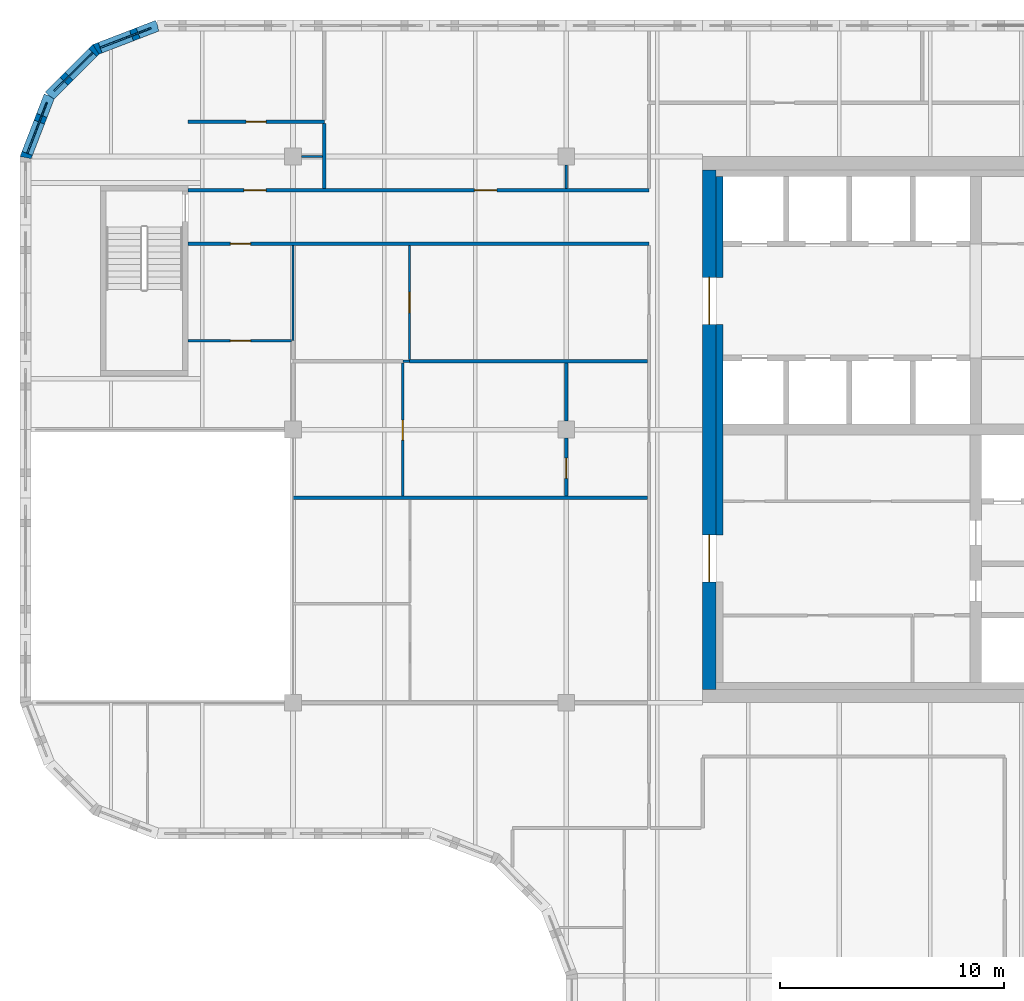
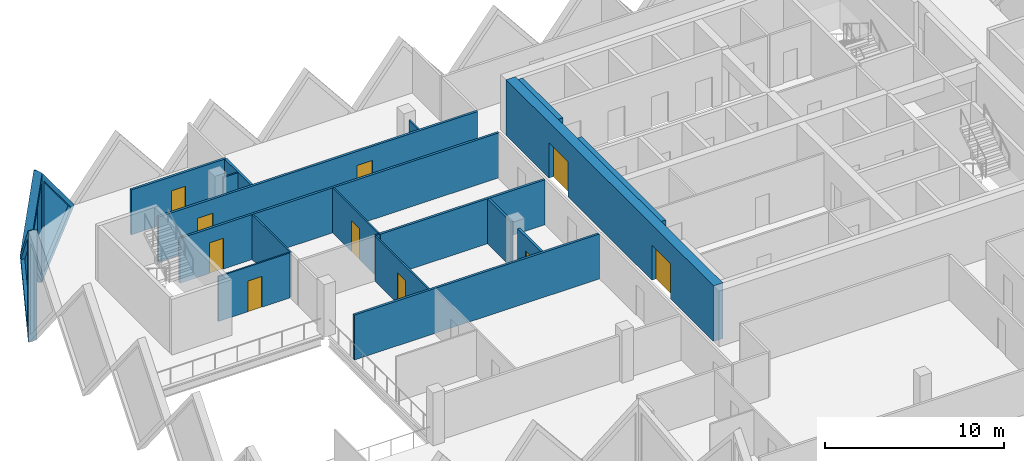
# One storey, part 7 of 12: 21 walls, 10 doors, 3 plates, 13 openings.
"""IFC4 building model written with IfcOpenShell, lengths in metres."""

from ifc_helpers import new_model, si_unit, direction, frame, frame_2d, origin, place, context, subcontext, project, spatial, polyline, rectangle, outline, extrude, faceted_brep, source, transform, mapped, material, layer, layer_set, type_object, element, fill, save


model = new_model("IFC4")

# Units and contexts
model_context = context("Model", 3, precision=1e-05, world=origin(), true_north=direction((0.0, 1.0)))
body_context = subcontext(model_context, "Body", "Model", "MODEL_VIEW")
ifc_project = project(units=[si_unit("LENGTHUNIT", "METRE"), si_unit("AREAUNIT", "SQUARE_METRE"), si_unit("VOLUMEUNIT", "CUBIC_METRE"), si_unit("PLANEANGLEUNIT", "RADIAN"), si_unit("MASSUNIT", "GRAM", prefix="KILO")], contexts=[model_context])

# Site, building, storey
site_placement = place(None, origin())
site = spatial("IfcSite", under=ifc_project, at=site_placement, CompositionType="ELEMENT")
building_placement = place(site_placement, origin())
building = spatial("IfcBuilding", under=site, at=building_placement, Name="Tessera Gate Towers", CompositionType="ELEMENT")
storey_placement = place(building_placement, frame((0.0, 0.0, 182.0)))
storey = spatial("IfcBuildingStorey", under=building, at=storey_placement, Name="L45", CompositionType="ELEMENT", Elevation=182.0)

# Wall, openings, doors
ifc_material_1 = material(Name="Concrete C50/60", Category="concrete")
ifc_layer_1 = layer(ifc_material_1, 0.60009765625)
ifc_layer_set_1 = layer_set([ifc_layer_1], Name="CORE SHEAR WALL 600 C50/60")
wall_type_1 = type_object("IfcWallType", Name="CORE SHEAR WALL 600 C50/60", PredefinedType="SHEAR", material=ifc_layer_set_1)
wall_1_placement = place(storey_placement, frame((30.800048828125, 25.0, 0.0), z_axis=(0.0, 0.0, 1.0), x_axis=(0.0, 1.0, 0.0)))
wall_1 = element("IfcWall", 1, at=wall_1_placement, inside=storey, type_object=wall_type_1, Name="Core wall W L45", PredefinedType="SHEAR", context=body_context, shape_type="SweptSolid", body=[
    extrude(rectangle(XDim=23.199951171875, YDim=0.60009765625, at=frame_2d((11.60009765625, 0.0))), origin(), (0.0, 0.0, 1.0), 3.800048828125),
])
shared_shape_1 = source(origin(), body_context, "Body", "SweptSolid", [
    extrude(rectangle(XDim=2.10009765625, YDim=2.39990234375, at=frame_2d((1.050048828125, 1.199951171875))), frame((0.0, 0.31005859375, 0.0), z_axis=(0.0, -1.0, 0.0), x_axis=(1.0, 0.0, 0.0)), (0.0, 0.0, 1.0), 0.6201171875),
])
opening_1_placement = place(wall_1_placement, frame((4.800048828125, 0.0, 0.0)))
opening_1 = element("IfcOpeningElement", 2, at=opening_1_placement, cuts=wall_1, Name="Opening DD-T1-28-02", PredefinedType="OPENING", context=body_context, shape_type="MappedRepresentation", body=[
    mapped(shared_shape_1, transform((0.0, 0.0, 0.0), scale=1.0)),
])
opening_2_placement = place(wall_1_placement, frame((16.300048828125, 0.0, 0.0)))
opening_2 = element("IfcOpeningElement", 3, at=opening_2_placement, cuts=wall_1, Name="Opening DD-T1-28-03", PredefinedType="OPENING", context=body_context, shape_type="MappedRepresentation", body=[
    mapped(shared_shape_1, transform((0.0, 0.0, 0.0), scale=1.0)),
])
ifc_material_2 = material(Name="Hollow steel fire door", Category="steel")
door_type_1 = type_object("IfcDoorType", Name="CORE DOOR DD 2100x2400", OperationType="NOTDEFINED", PredefinedType="DOOR", material=ifc_material_2)
shared_shape_2 = source(origin(), body_context, "Body", "SweptSolid", [
    extrude(rectangle(XDim=2.10009765625, YDim=2.39990234375, at=frame_2d((1.050048828125, 1.199951171875))), frame((0.0, 0.02490234375, 0.0), z_axis=(0.0, -1.0, 0.0), x_axis=(1.0, 0.0, 0.0)), (0.0, 0.0, 1.0), 0.050048828125),
])
door_1_placement = place(opening_1_placement, origin())
door_1 = element("IfcDoor", 4, at=door_1_placement, inside=storey, type_object=door_type_1, Name="Core entrance door", OperationType="DOUBLE_DOOR_SINGLE_SWING", OverallHeight=2.39990234375, OverallWidth=2.10009765625, PredefinedType="DOOR", context=body_context, shape_type="MappedRepresentation", body=[
    mapped(shared_shape_2, transform((0.0, 0.0, 0.0), scale=1.0)),
])
fill(opening_1, door_1)
door_2_placement = place(opening_2_placement, origin())
door_2 = element("IfcDoor", 5, at=door_2_placement, inside=storey, type_object=door_type_1, Name="Core entrance door", OperationType="DOUBLE_DOOR_SINGLE_SWING", OverallHeight=2.39990234375, OverallWidth=2.10009765625, PredefinedType="DOOR", context=body_context, shape_type="MappedRepresentation", body=[
    mapped(shared_shape_2, transform((0.0, 0.0, 0.0), scale=1.0)),
])
fill(opening_2, door_2)

# Walls
ifc_material_3 = material(Name="Concrete C50/60", Category="concrete")
ifc_layer_2 = layer(ifc_material_3, 0.300048828125)
ifc_layer_set_2 = layer_set([ifc_layer_2], Name="CORE WALL THICKENING 300")
wall_type_2 = type_object("IfcWallType", Name="CORE WALL THICKENING 300", PredefinedType="SOLIDWALL", material=ifc_layer_set_2)
wall_2_placement = place(storey_placement, frame((31.25, 31.89990234375, 0.0), z_axis=(0.0, 0.0, 1.0), x_axis=(0.0, 1.0, 0.0)))
element("IfcWall", 6, at=wall_2_placement, inside=storey, type_object=wall_type_2, Name="Core wall thickening W L45", PredefinedType="SOLIDWALL", context=body_context, shape_type="SweptSolid", body=[
    extrude(rectangle(XDim=9.400146484375, YDim=0.300048828125, at=frame_2d((4.7001953125, 0.0))), origin(), (0.0, 0.0, 1.0), 3.800048828125),
])
wall_3_placement = place(storey_placement, frame((31.25, 43.39990234375, 0.0), z_axis=(0.0, 0.0, 1.0), x_axis=(0.0, 1.0, 0.0)))
element("IfcWall", 7, at=wall_3_placement, inside=storey, type_object=wall_type_2, Name="Core wall thickening W L45", PredefinedType="SOLIDWALL", context=body_context, shape_type="SweptSolid", body=[
    extrude(rectangle(XDim=4.5, YDim=0.300048828125, at=frame_2d((2.25, 0.0))), origin(), (0.0, 0.0, 1.0), 3.800048828125),
])

# Wall, opening, door
ifc_material_4 = material(Name="Gypsum board on steel studs, mineral wool", Category="steel")
ifc_layer_3 = layer(ifc_material_4, 0.14990234375)
ifc_layer_set_3 = layer_set([ifc_layer_3], Name="CORRIDOR WALL 150")
wall_type_3 = type_object("IfcWallType", Name="CORRIDOR WALL 150", PredefinedType="PARTITIONING", material=ifc_layer_set_3)
wall_4_placement = place(storey_placement, frame((28.10009765625, 44.89990234375, 0.0), z_axis=(0.0, 0.0, 1.0), x_axis=(-1.0, 0.0, 0.0)))
wall_4 = element("IfcWall", 8, at=wall_4_placement, inside=storey, type_object=wall_type_3, Name="T1-L45-PW-041", PredefinedType="PARTITIONING", context=body_context, shape_type="SweptSolid", body=[
    extrude(rectangle(XDim=20.60009765625, YDim=0.14990234375, at=frame_2d((10.300048828125, 0.0))), origin(), (0.0, 0.0, 1.0), 3.06689453125),
])
shared_shape_3 = source(origin(), body_context, "Body", "SweptSolid", [
    extrude(rectangle(XDim=0.89990234375, YDim=2.10009765625, at=frame_2d((0.449951171875, 1.050048828125))), frame((0.0, 0.0849609375, 0.0), z_axis=(0.0, -1.0, 0.0), x_axis=(1.0, 0.0, 0.0)), (0.0, 0.0, 1.0), 0.169921875),
])
opening_3_placement = place(wall_4_placement, frame((17.800048828125, 0.0, 0.0)))
opening_3 = element("IfcOpeningElement", 9, at=opening_3_placement, cuts=wall_4, Name="Opening D890FD60-A16-02", PredefinedType="OPENING", context=body_context, shape_type="MappedRepresentation", body=[
    mapped(shared_shape_3, transform((0.0, 0.0, 0.0), scale=1.0)),
])
ifc_material_5 = material(Name="Timber door leaf in steel frame", Category="steel")
door_type_2 = type_object("IfcDoorType", Name="CORRIDOR DOOR 900 FD60", OperationType="NOTDEFINED", PredefinedType="DOOR", material=ifc_material_5)
shared_shape_4 = source(origin(), body_context, "Body", "SweptSolid", [
    extrude(rectangle(XDim=0.89990234375, YDim=2.10009765625, at=frame_2d((0.449951171875, 1.050048828125))), frame((0.0, 0.02490234375, 0.0), z_axis=(0.0, -1.0, 0.0), x_axis=(1.0, 0.0, 0.0)), (0.0, 0.0, 1.0), 0.050048828125),
])
door_3_placement = place(opening_3_placement, origin())
door_3 = element("IfcDoor", 10, at=door_3_placement, inside=storey, type_object=door_type_2, Name="T1-L45-PD-009", OperationType="SINGLE_SWING_RIGHT", OverallHeight=2.10009765625, OverallWidth=0.89990234375, PredefinedType="DOOR", context=body_context, shape_type="MappedRepresentation", body=[
    mapped(shared_shape_4, transform((0.0, 0.0, 0.0), scale=1.0)),
])
fill(opening_3, door_3)

# Wall, openings, doors
wall_5_placement = place(storey_placement, frame((7.5, 47.300048828125, 0.0), z_axis=(0.0, 0.0, 1.0), x_axis=(1.0, 0.0, 0.0)))
wall_5 = element("IfcWall", 11, at=wall_5_placement, inside=storey, type_object=wall_type_3, Name="T1-L45-PW-042", PredefinedType="PARTITIONING", context=body_context, shape_type="SweptSolid", body=[
    extrude(rectangle(XDim=20.60009765625, YDim=0.14990234375, at=frame_2d((10.300048828125, 0.0))), origin(), (0.0, 0.0, 1.0), 3.06689453125),
])
shared_shape_5 = source(origin(), body_context, "Body", "SweptSolid", [
    extrude(rectangle(XDim=1.0, YDim=2.10009765625, at=frame_2d((0.5, 1.050048828125))), frame((0.0, 0.0849609375, 0.0), z_axis=(0.0, -1.0, 0.0), x_axis=(1.0, 0.0, 0.0)), (0.0, 0.0, 1.0), 0.169921875),
])
opening_4_placement = place(wall_5_placement, frame((2.5, 0.0, 0.0)))
opening_4 = element("IfcOpeningElement", 12, at=opening_4_placement, cuts=wall_5, Name="Opening D2100FD60-A16-03", PredefinedType="OPENING", context=body_context, shape_type="MappedRepresentation", body=[
    mapped(shared_shape_5, transform((0.0, 0.0, 0.0), scale=1.0)),
])
opening_5_placement = place(wall_5_placement, frame((12.800048828125, 0.0, 0.0)))
opening_5 = element("IfcOpeningElement", 13, at=opening_5_placement, cuts=wall_5, Name="Opening D2100FD60-A16-06", PredefinedType="OPENING", context=body_context, shape_type="MappedRepresentation", body=[
    mapped(shared_shape_5, transform((0.0, 0.0, 0.0), scale=1.0)),
])
ifc_material_6 = material(Name="Timber door leaf in steel frame", Category="steel")
door_type_3 = type_object("IfcDoorType", Name="TENANCY ENTRANCE DOOR 1000 FD60", OperationType="NOTDEFINED", PredefinedType="DOOR", material=ifc_material_6)
shared_shape_6 = source(origin(), body_context, "Body", "SweptSolid", [
    extrude(rectangle(XDim=1.0, YDim=2.10009765625, at=frame_2d((0.5, 1.050048828125))), frame((0.0, 0.02490234375, 0.0), z_axis=(0.0, -1.0, 0.0), x_axis=(1.0, 0.0, 0.0)), (0.0, 0.0, 1.0), 0.050048828125),
])
door_4_placement = place(opening_4_placement, origin())
door_4 = element("IfcDoor", 14, at=door_4_placement, inside=storey, type_object=door_type_3, Name="T1-L45-PD-018", OperationType="SINGLE_SWING_LEFT", OverallHeight=2.10009765625, OverallWidth=1.0, PredefinedType="DOOR", context=body_context, shape_type="MappedRepresentation", body=[
    mapped(shared_shape_6, transform((0.0, 0.0, 0.0), scale=1.0)),
])
fill(opening_4, door_4)
door_5_placement = place(opening_5_placement, origin())
door_5 = element("IfcDoor", 15, at=door_5_placement, inside=storey, type_object=door_type_3, Name="T1-L45-PD-026", OperationType="SINGLE_SWING_LEFT", OverallHeight=2.10009765625, OverallWidth=1.0, PredefinedType="DOOR", context=body_context, shape_type="MappedRepresentation", body=[
    mapped(shared_shape_6, transform((0.0, 0.0, 0.0), scale=1.0)),
])
fill(opening_5, door_5)

# Wall
ifc_material_7 = material(Name="Glass", Category="glass")
ifc_layer_4 = layer(ifc_material_7, 0.10009765625)
ifc_layer_set_4 = layer_set([ifc_layer_4], Name="GLAZED PARTITION 100")
wall_type_4 = type_object("IfcWallType", Name="GLAZED PARTITION 100", PredefinedType="PARTITIONING", material=ifc_layer_set_4)
wall_6_placement = place(storey_placement, frame((17.10107421875, 39.64990234375, 0.0), z_axis=(0.0, 0.0, 1.0), x_axis=(1.0, 0.0, 0.0)))
element("IfcWall", 16, at=wall_6_placement, inside=storey, type_object=wall_type_4, Name="T1-L45-PW-035", PredefinedType="PARTITIONING", context=body_context, shape_type="SweptSolid", body=[
    extrude(rectangle(XDim=0.2978515625, YDim=0.10009765625, at=frame_2d((0.14892578125, 0.0))), origin(), (0.0, 0.0, 1.0), 3.06689453125),
])

# Wall, opening, door
wall_7_placement = place(storey_placement, frame((17.39990234375, 39.72607421875, 0.0), z_axis=(0.0, 0.0, 1.0), x_axis=(0.0, 1.0, 0.0)))
wall_7 = element("IfcWall", 17, at=wall_7_placement, inside=storey, type_object=wall_type_4, Name="T1-L45-PW-038", PredefinedType="PARTITIONING", context=body_context, shape_type="SweptSolid", body=[
    extrude(rectangle(XDim=5.097900390625, YDim=0.10009765625, at=frame_2d((2.548828125, 0.0))), origin(), (0.0, 0.0, 1.0), 3.06689453125),
])
shared_shape_7 = source(origin(), body_context, "Body", "SweptSolid", [
    extrude(rectangle(XDim=0.89990234375, YDim=2.10009765625, at=frame_2d((0.449951171875, 1.050048828125))), frame((0.0, 0.06005859375, 0.0), z_axis=(0.0, -1.0, 0.0), x_axis=(1.0, 0.0, 0.0)), (0.0, 0.0, 1.0), 0.1201171875),
])
opening_6_placement = place(wall_7_placement, frame((2.10009765625, 0.0, 0.0)))
opening_6 = element("IfcOpeningElement", 18, at=opening_6_placement, cuts=wall_7, Name="Opening D690-A16-02", PredefinedType="OPENING", context=body_context, shape_type="MappedRepresentation", body=[
    mapped(shared_shape_7, transform((0.0, 0.0, 0.0), scale=1.0)),
])
ifc_material_8 = material(Name="Glass in aluminium frame", Category="aluminium")
door_type_4 = type_object("IfcDoorType", Name="GLAZED DOOR 900 NOT RATED", OperationType="NOTDEFINED", PredefinedType="DOOR", material=ifc_material_8)
door_6_placement = place(opening_6_placement, origin())
door_6 = element("IfcDoor", 19, at=door_6_placement, inside=storey, type_object=door_type_4, Name="T1-L45-PD-012", OperationType="SINGLE_SWING_LEFT", OverallHeight=2.10009765625, OverallWidth=0.89990234375, PredefinedType="DOOR", context=body_context, shape_type="MappedRepresentation", body=[
    mapped(shared_shape_4, transform((0.0, 0.0, 0.0), scale=1.0)),
])
fill(opening_6, door_6)

wall_8_placement = place(storey_placement, frame((12.1240234375, 40.574951171875, 0.0), z_axis=(0.0, 0.0, 1.0), x_axis=(-1.0, 0.0, 0.0)))
wall_8 = element("IfcWall", 20, at=wall_8_placement, inside=storey, type_object=wall_type_4, Name="T1-L45-PW-039", PredefinedType="PARTITIONING", context=body_context, shape_type="SweptSolid", body=[
    extrude(rectangle(XDim=4.6240234375, YDim=0.10009765625, at=frame_2d((2.31201171875, 0.0))), origin(), (0.0, 0.0, 1.0), 3.06689453125),
])
opening_7_placement = place(wall_8_placement, frame((1.823974609375, 0.0, 0.0)))
opening_7 = element("IfcOpeningElement", 21, at=opening_7_placement, cuts=wall_8, Name="Opening D690-A16-01", PredefinedType="OPENING", context=body_context, shape_type="MappedRepresentation", body=[
    mapped(shared_shape_7, transform((0.0, 0.0, 0.0), scale=1.0)),
])
door_7_placement = place(opening_7_placement, origin())
door_7 = element("IfcDoor", 22, at=door_7_placement, inside=storey, type_object=door_type_4, Name="T1-L45-PD-008", OperationType="SINGLE_SWING_RIGHT", OverallHeight=2.10009765625, OverallWidth=0.89990234375, PredefinedType="DOOR", context=body_context, shape_type="MappedRepresentation", body=[
    mapped(shared_shape_4, transform((0.0, 0.0, 0.0), scale=1.0)),
])
fill(opening_7, door_7)

# Wall
wall_9_placement = place(storey_placement, frame((12.199951171875, 40.575927734375, 0.0), z_axis=(0.0, 0.0, 1.0), x_axis=(0.0, 1.0, 0.0)))
element("IfcWall", 23, at=wall_9_placement, inside=storey, type_object=wall_type_4, Name="T1-L45-PW-040", PredefinedType="PARTITIONING", context=body_context, shape_type="SweptSolid", body=[
    extrude(rectangle(XDim=4.248046875, YDim=0.10009765625, at=frame_2d((2.1240234375, 0.0))), origin(), (0.0, 0.0, 1.0), 3.06689453125),
])

# Wall, opening, door
ifc_material_9 = material(Name="Gypsum board on steel studs", Category="steel")
ifc_layer_5 = layer(ifc_material_9, 0.10009765625)
ifc_layer_set_5 = layer_set([ifc_layer_5], Name="PARTITION 100")
wall_type_5 = type_object("IfcWallType", Name="PARTITION 100", PredefinedType="PARTITIONING", material=ifc_layer_set_5)
wall_10_placement = place(storey_placement, frame((17.10009765625, 33.6259765625, 0.0), z_axis=(0.0, 0.0, 1.0), x_axis=(0.0, 1.0, 0.0)))
wall_10 = element("IfcWall", 24, at=wall_10_placement, inside=storey, type_object=wall_type_5, Name="T1-L45-PW-030", PredefinedType="PARTITIONING", context=body_context, shape_type="SweptSolid", body=[
    extrude(rectangle(XDim=5.947998046875, YDim=0.10009765625, at=frame_2d((2.97412109375, 0.0))), origin(), (0.0, 0.0, 1.0), 3.06689453125),
])
opening_8_placement = place(wall_10_placement, frame((2.5, 0.0, 0.0)))
opening_8 = element("IfcOpeningElement", 25, at=opening_8_placement, cuts=wall_10, Name="Opening D190-A16-09", PredefinedType="OPENING", context=body_context, shape_type="MappedRepresentation", body=[
    mapped(shared_shape_7, transform((0.0, 0.0, 0.0), scale=1.0)),
])
ifc_material_10 = material(Name="Timber door leaf in steel frame", Category="steel")
door_type_5 = type_object("IfcDoorType", Name="INTERNAL DOOR 900 NOT RATED", OperationType="NOTDEFINED", PredefinedType="DOOR", material=ifc_material_10)
door_8_placement = place(opening_8_placement, origin())
door_8 = element("IfcDoor", 26, at=door_8_placement, inside=storey, type_object=door_type_5, Name="T1-L45-PD-016", OperationType="SINGLE_SWING_LEFT", OverallHeight=2.10009765625, OverallWidth=0.89990234375, PredefinedType="DOOR", context=body_context, shape_type="MappedRepresentation", body=[
    mapped(shared_shape_4, transform((0.0, 0.0, 0.0), scale=1.0)),
])
fill(opening_8, door_8)

# Walls
wall_11_placement = place(storey_placement, frame((24.39990234375, 48.425048828125, 0.0), z_axis=(0.0, 0.0, 1.0), x_axis=(0.0, -1.0, 0.0)))
element("IfcWall", 27, at=wall_11_placement, inside=storey, type_object=wall_type_5, Name="T1-L45-PW-045", PredefinedType="PARTITIONING", context=body_context, shape_type="SweptSolid", body=[
    extrude(rectangle(XDim=1.050048828125, YDim=0.10009765625, at=frame_2d((0.52490234375, 0.0))), origin(), (0.0, 0.0, 1.0), 3.06689453125),
])
wall_12_placement = place(storey_placement, frame((12.574951171875, 48.800048828125, 0.0), z_axis=(0.0, 0.0, 1.0), x_axis=(1.0, 0.0, 0.0)))
element("IfcWall", 28, at=wall_12_placement, inside=storey, type_object=wall_type_5, Name="T1-L45-PW-046", PredefinedType="PARTITIONING", context=body_context, shape_type="SweptSolid", body=[
    extrude(rectangle(XDim=0.949951171875, YDim=0.10009765625, at=frame_2d((0.47509765625, 0.0))), origin(), (0.0, 0.0, 1.0), 3.06689453125),
])
ifc_material_11 = material(Name="Gypsum board on steel studs, mineral wool", Category="steel")
ifc_layer_6 = layer(ifc_material_11, 0.14990234375)
ifc_layer_set_6 = layer_set([ifc_layer_6], Name="TENANCY WALL 150")
wall_type_6 = type_object("IfcWallType", Name="TENANCY WALL 150", PredefinedType="PARTITIONING", material=ifc_layer_set_6)
wall_13_placement = place(storey_placement, frame((12.199951171875, 33.550048828125, 0.0), z_axis=(0.0, 0.0, 1.0), x_axis=(1.0, 0.0, 0.0)))
element("IfcWall", 29, at=wall_13_placement, inside=storey, type_object=wall_type_6, Name="T1-L45-PW-029", PredefinedType="PARTITIONING", context=body_context, shape_type="SweptSolid", body=[
    extrude(rectangle(XDim=15.823974609375, YDim=0.14990234375, at=frame_2d((7.912109375, 0.0))), origin(), (0.0, 0.0, 1.0), 3.06689453125),
])

# Wall, opening, door
wall_14_placement = place(storey_placement, frame((24.39990234375, 33.6259765625, 0.0), z_axis=(0.0, 0.0, 1.0), x_axis=(0.0, 1.0, 0.0)))
wall_14 = element("IfcWall", 30, at=wall_14_placement, inside=storey, type_object=wall_type_6, Name="T1-L45-PW-031", PredefinedType="PARTITIONING", context=body_context, shape_type="SweptSolid", body=[
    extrude(rectangle(XDim=2.59814453125, YDim=0.14990234375, at=frame_2d((1.299072265625, 0.0))), origin(), (0.0, 0.0, 1.0), 3.06689453125),
])
opening_9_placement = place(wall_14_placement, frame((0.800048828125, 0.0, 0.0)))
opening_9 = element("IfcOpeningElement", 31, at=opening_9_placement, cuts=wall_14, Name="Opening D190-A16-08", PredefinedType="OPENING", context=body_context, shape_type="MappedRepresentation", body=[
    mapped(shared_shape_3, transform((0.0, 0.0, 0.0), scale=1.0)),
])
door_9_placement = place(opening_9_placement, origin())
door_9 = element("IfcDoor", 32, at=door_9_placement, inside=storey, type_object=door_type_5, Name="T1-L45-PD-014", OperationType="SINGLE_SWING_LEFT", OverallHeight=2.10009765625, OverallWidth=0.89990234375, PredefinedType="DOOR", context=body_context, shape_type="MappedRepresentation", body=[
    mapped(shared_shape_4, transform((0.0, 0.0, 0.0), scale=1.0)),
])
fill(opening_9, door_9)

# Walls
wall_15_placement = place(storey_placement, frame((24.39990234375, 36.97607421875, 0.0), z_axis=(0.0, 0.0, 1.0), x_axis=(0.0, 1.0, 0.0)))
element("IfcWall", 33, at=wall_15_placement, inside=storey, type_object=wall_type_6, Name="T1-L45-PW-033", PredefinedType="PARTITIONING", context=body_context, shape_type="SweptSolid", body=[
    extrude(rectangle(XDim=2.597900390625, YDim=0.14990234375, at=frame_2d((1.298828125, 0.0))), origin(), (0.0, 0.0, 1.0), 3.06689453125),
])
wall_16_placement = place(storey_placement, frame((17.39990234375, 39.64990234375, 0.0), z_axis=(0.0, 0.0, 1.0), x_axis=(1.0, 0.0, 0.0)))
element("IfcWall", 34, at=wall_16_placement, inside=storey, type_object=wall_type_6, Name="T1-L45-PW-036", PredefinedType="PARTITIONING", context=body_context, shape_type="SweptSolid", body=[
    extrude(rectangle(XDim=10.6240234375, YDim=0.14990234375, at=frame_2d((5.31201171875, 0.0))), origin(), (0.0, 0.0, 1.0), 3.06689453125),
])
wall_17_placement = place(storey_placement, frame((13.60009765625, 47.3759765625, 0.0), z_axis=(0.0, 0.0, 1.0), x_axis=(0.0, 1.0, 0.0)))
element("IfcWall", 35, at=wall_17_placement, inside=storey, type_object=wall_type_6, Name="T1-L45-PW-043", PredefinedType="PARTITIONING", context=body_context, shape_type="SweptSolid", body=[
    extrude(rectangle(XDim=2.89794921875, YDim=0.14990234375, at=frame_2d((1.448974609375, 0.0))), origin(), (0.0, 0.0, 1.0), 3.06689453125),
])

# Wall, opening, door
wall_18_placement = place(storey_placement, frame((7.5, 50.35009765625, 0.0), z_axis=(0.0, 0.0, 1.0), x_axis=(1.0, 0.0, 0.0)))
wall_18 = element("IfcWall", 36, at=wall_18_placement, inside=storey, type_object=wall_type_6, Name="T1-L45-PW-047", PredefinedType="PARTITIONING", context=body_context, shape_type="SweptSolid", body=[
    extrude(rectangle(XDim=6.10009765625, YDim=0.14990234375, at=frame_2d((3.050048828125, 0.0))), origin(), (0.0, 0.0, 1.0), 3.06689453125),
])
opening_10_placement = place(wall_18_placement, frame((2.60009765625, 0.0, 0.0)))
opening_10 = element("IfcOpeningElement", 37, at=opening_10_placement, cuts=wall_18, Name="Opening D190-A16-10", PredefinedType="OPENING", context=body_context, shape_type="MappedRepresentation", body=[
    mapped(shared_shape_3, transform((0.0, 0.0, 0.0), scale=1.0)),
])
door_10_placement = place(opening_10_placement, origin())
door_10 = element("IfcDoor", 38, at=door_10_placement, inside=storey, type_object=door_type_5, Name="T1-L45-PD-020", OperationType="SINGLE_SWING_LEFT", OverallHeight=2.10009765625, OverallWidth=0.89990234375, PredefinedType="DOOR", context=body_context, shape_type="MappedRepresentation", body=[
    mapped(shared_shape_4, transform((0.0, 0.0, 0.0), scale=1.0)),
])
fill(opening_10, door_10)

# Wall, opening, plate
ifc_material_12 = material(Name="Precast concrete C60/75 white", Category="concrete")
ifc_layer_7 = layer(ifc_material_12, 0.5)
ifc_layer_set_7 = layer_set([ifc_layer_7], Name="TS3 corner tessera")
wall_type_7 = type_object("IfcWallType", Name="TS3 corner tessera", PredefinedType="SOLIDWALL", material=ifc_layer_set_7)
shared_shape_8 = source(origin(), body_context, "Body", "Brep", [
    faceted_brep([(2.950439453125, -0.25, 0.0), (3.00341796875, -0.25, 0.068359375), (3.00341796875, -0.25, 7.53173828125), (2.950439453125, -0.25, 7.60009765625), (0.0, -0.25, 3.800048828125), (0.046630859375, 0.25, 3.860107421875), (2.897705078125, 0.25, 7.531982421875), (2.897705078125, 0.25, 0.068115234375), (0.046630859375, 0.25, 3.739990234375), (2.950439453125, 0.00048828125, 0.0), (2.950439453125, 0.00048828125, 7.60009765625), (0.0, 0.0, 3.800048828125)], [[[0, 1, 2, 3, 4]], [[5, 6, 7, 8]], [[1, 0, 9]], [[10, 3, 2]], [[6, 5, 11, 4, 3, 10]], [[8, 7, 9, 0, 4, 11]], [[8, 11, 5]], [[1, 9, 7, 6, 10, 2]]]),
])
wall_19_placement = place(storey_placement, frame((6.146484375, 54.64990234375, -3.800048828125), z_axis=(0.0, 0.0, 1.0), x_axis=(-0.932997369089, -0.359883188373, 0.0)))
wall_19 = element("IfcWall", 39, at=wall_19_placement, inside=storey, type_object=wall_type_7, Name="Precast corner tessera T1 TS3-1041", PredefinedType="SOLIDWALL", context=body_context, shape_type="MappedRepresentation", body=[
    mapped(shared_shape_8, transform((0.0, 0.0, 0.0), scale=1.0)),
])
shared_shape_9 = source(origin(), body_context, "Body", "SweptSolid", [
    extrude(outline(polyline([(2.75048828125, 6.934814453125), (0.31640625, 3.800048828125), (2.75048828125, 0.665283203125), (2.75048828125, 6.934814453125)])), frame((0.0, 0.260009765625, 0.0), z_axis=(0.0, -1.0, 0.0), x_axis=(1.0, 0.0, 0.0)), (0.0, 0.0, 1.0), 0.52001953125),
])
opening_11_placement = place(wall_19_placement, origin())
opening_11 = element("IfcOpeningElement", 40, at=opening_11_placement, cuts=wall_19, Name="Opening T1-PL2-1624", PredefinedType="OPENING", context=body_context, shape_type="MappedRepresentation", body=[
    mapped(shared_shape_9, transform((0.0, 0.0, 0.0), scale=1.0)),
])
ifc_material_13 = material(Name="Low-e laminated glass", Category="glass")
ifc_layer_8 = layer(ifc_material_13, 0.06005859375)
ifc_layer_set_8 = layer_set([ifc_layer_8], Name="PL2 rhombic pane")
plate_type = type_object("IfcPlateType", Name="PL2 rhombic pane", PredefinedType="SHEET", material=ifc_layer_set_8)
shared_shape_10 = source(origin(), body_context, "Body", "SweptSolid", [
    extrude(outline(polyline([(2.75048828125, 6.934814453125), (0.31640625, 3.800048828125), (2.75048828125, 0.665283203125), (2.75048828125, 6.934814453125)])), frame((0.0, 0.030029296875, 0.0), z_axis=(0.0, -1.0, 0.0), x_axis=(1.0, 0.0, 0.0)), (0.0, 0.0, 1.0), 0.06005859375),
])
plate_1_placement = place(opening_11_placement, origin())
plate_1 = element("IfcPlate", 41, at=plate_1_placement, inside=storey, type_object=plate_type, Name="Glass pane T1 PL2-1624", PredefinedType="SHEET", context=body_context, shape_type="MappedRepresentation", body=[
    mapped(shared_shape_10, transform((0.0, 0.0, 0.0), scale=1.0)),
])
fill(opening_11, plate_1)

shared_shape_11 = source(origin(), body_context, "Body", "Brep", [
    faceted_brep([(0.052978515625, -0.25, 0.0), (2.9970703125, -0.25, 3.800048828125), (0.052978515625, -0.25, 7.60009765625), (0.0, -0.25, 7.531982421875), (0.0, -0.25, 0.068115234375), (0.10595703125, 0.25, 7.53173828125), (2.944091796875, 0.25, 3.8681640625), (2.944091796875, 0.25, 3.73193359375), (0.10595703125, 0.25, 0.068359375), (2.9970703125, 0.000244140625, 3.800048828125), (0.052978515625, 0.0, 0.0), (0.052978515625, 0.0, 7.60009765625)], [[[0, 1, 2, 3, 4]], [[5, 6, 7, 8]], [[8, 7, 9, 1, 0, 10]], [[6, 5, 11, 2, 1, 9]], [[3, 2, 11]], [[10, 0, 4]], [[8, 10, 4, 3, 11, 5]], [[9, 7, 6]]]),
])
wall_20_placement = place(storey_placement, frame((3.43115234375, 53.62548828125, -3.800048828125), z_axis=(0.0, 0.0, 1.0), x_axis=(-0.707106781187, -0.707106781187, 0.0)))
wall_20 = element("IfcWall", 42, at=wall_20_placement, inside=storey, type_object=wall_type_7, Name="Precast corner tessera T1 TS3-1042", PredefinedType="SOLIDWALL", context=body_context, shape_type="MappedRepresentation", body=[
    mapped(shared_shape_11, transform((0.0, 0.0, 0.0), scale=1.0)),
])
shared_shape_12 = source(origin(), body_context, "Body", "SweptSolid", [
    extrude(outline(polyline([(0.2529296875, 0.666259765625), (2.680908203125, 3.800048828125), (0.2529296875, 6.933837890625), (0.2529296875, 0.666259765625)])), frame((0.0, 0.260009765625, 0.0), z_axis=(0.0, -1.0, 0.0), x_axis=(1.0, 0.0, 0.0)), (0.0, 0.0, 1.0), 0.52001953125),
])
opening_12_placement = place(wall_20_placement, origin())
opening_12 = element("IfcOpeningElement", 43, at=opening_12_placement, cuts=wall_20, Name="Opening T1-PL2-1625", PredefinedType="OPENING", context=body_context, shape_type="MappedRepresentation", body=[
    mapped(shared_shape_12, transform((0.0, 0.0, 0.0), scale=1.0)),
])
shared_shape_13 = source(origin(), body_context, "Body", "SweptSolid", [
    extrude(outline(polyline([(0.2529296875, 0.666259765625), (2.680908203125, 3.800048828125), (0.2529296875, 6.933837890625), (0.2529296875, 0.666259765625)])), frame((0.0, 0.030029296875, 0.0), z_axis=(0.0, -1.0, 0.0), x_axis=(1.0, 0.0, 0.0)), (0.0, 0.0, 1.0), 0.06005859375),
])
plate_2_placement = place(opening_12_placement, origin())
plate_2 = element("IfcPlate", 44, at=plate_2_placement, inside=storey, type_object=plate_type, Name="Glass pane T1 PL2-1625", PredefinedType="SHEET", context=body_context, shape_type="MappedRepresentation", body=[
    mapped(shared_shape_13, transform((0.0, 0.0, 0.0), scale=1.0)),
])
fill(opening_12, plate_2)

shared_shape_14 = source(origin(), body_context, "Body", "Brep", [
    faceted_brep([(2.950439453125, -0.25, 0.0), (2.9970703125, -0.25, 0.05908203125), (2.9970703125, -0.25, 7.541015625), (2.950439453125, -0.25, 7.60009765625), (0.0, -0.25, 3.800048828125), (0.052978515625, 0.25, 3.8681640625), (2.904052734375, 0.25, 7.540283203125), (2.904052734375, 0.25, 0.059814453125), (0.052978515625, 0.25, 3.73193359375), (2.950439453125, 0.00048828125, 0.0), (2.950439453125, 0.00048828125, 7.60009765625), (0.0, 0.0, 3.800048828125)], [[[0, 1, 2, 3, 4]], [[5, 6, 7, 8]], [[1, 0, 9]], [[10, 3, 2]], [[6, 5, 11, 4, 3, 10]], [[8, 7, 9, 0, 4, 11]], [[8, 11, 5]], [[1, 9, 7, 6, 10, 2]]]),
])
wall_21_placement = place(storey_placement, frame((1.31201171875, 51.50634765625, -3.800048828125), z_axis=(0.0, 0.0, 1.0), x_axis=(-0.359944998003, -0.932973525033, 0.0)))
wall_21 = element("IfcWall", 45, at=wall_21_placement, inside=storey, type_object=wall_type_7, Name="Precast corner tessera T1 TS3-1043", PredefinedType="SOLIDWALL", context=body_context, shape_type="MappedRepresentation", body=[
    mapped(shared_shape_14, transform((0.0, 0.0, 0.0), scale=1.0)),
])
opening_13_placement = place(wall_21_placement, origin())
opening_13 = element("IfcOpeningElement", 46, at=opening_13_placement, cuts=wall_21, Name="Opening T1-PL2-1626", PredefinedType="OPENING", context=body_context, shape_type="MappedRepresentation", body=[
    mapped(shared_shape_9, transform((0.0, 0.0, 0.0), scale=1.0)),
])
plate_3_placement = place(opening_13_placement, origin())
plate_3 = element("IfcPlate", 47, at=plate_3_placement, inside=storey, type_object=plate_type, Name="Glass pane T1 PL2-1626", PredefinedType="SHEET", context=body_context, shape_type="MappedRepresentation", body=[
    mapped(shared_shape_10, transform((0.0, 0.0, 0.0), scale=1.0)),
])
fill(opening_13, plate_3)

save(model, "model.ifc")
